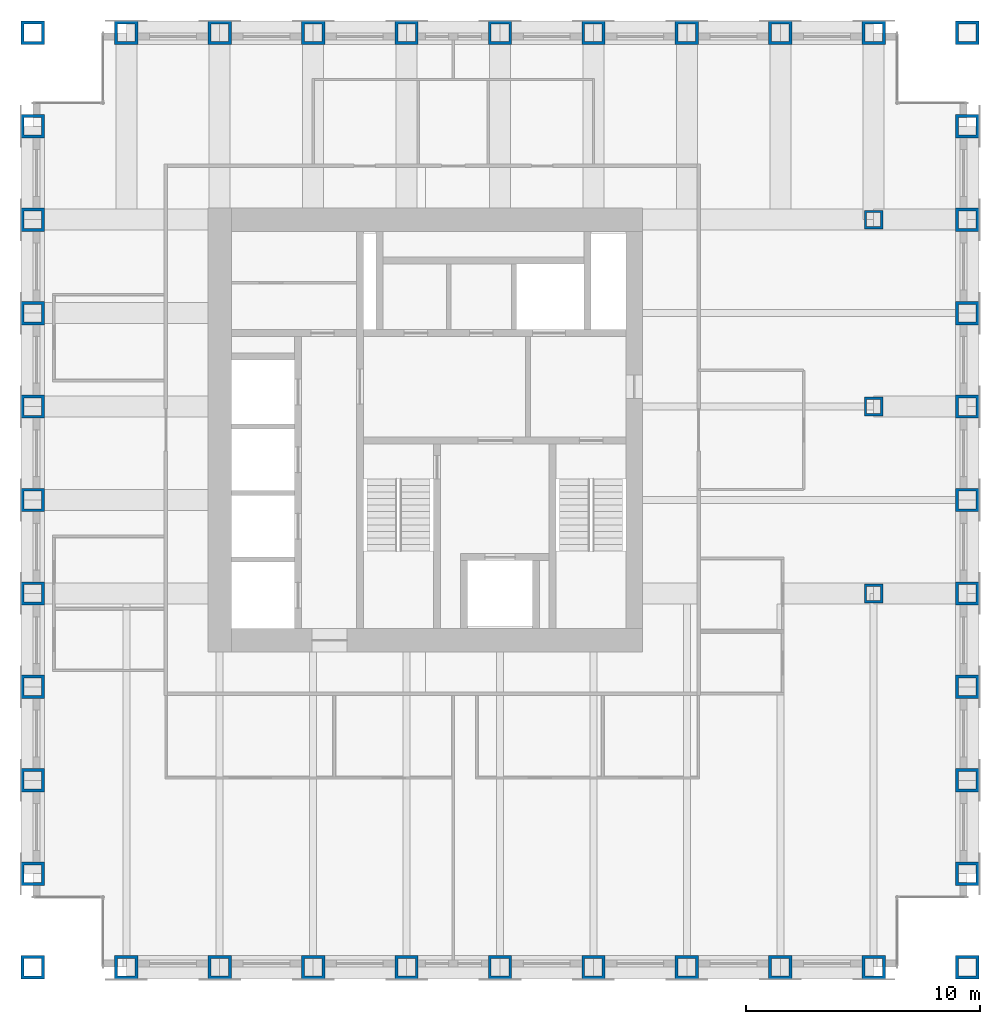
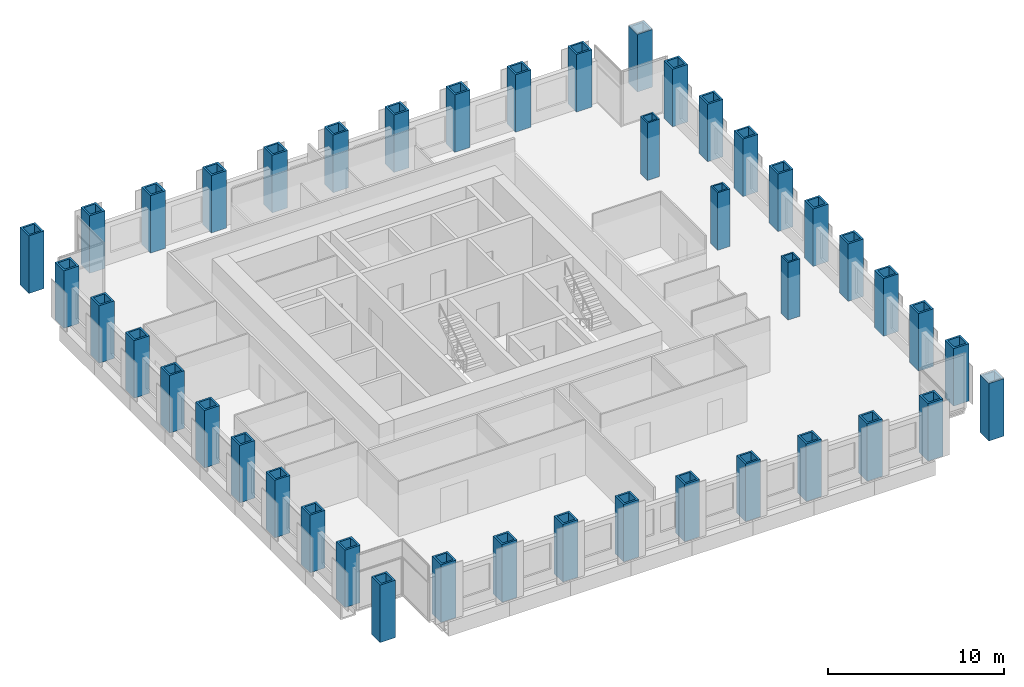
# One storey, part 1 of 12: 43 columns.
"""IFC4 building model written with IfcOpenShell, lengths in metres."""

import ifcopenshell
import ifcopenshell.guid

model = None  # the IFC model being written
_history = None  # IfcOwnerHistory: only IFC2X3 demands one
_inside = {}  # id of a spatial element -> (the spatial element, [elements in it])
_under = {}  # id of a project, library or spatial element -> (it, [spatial elements below it])
_declared = {}  # id of a project -> (the project, [libraries it declares])
_typed = {}  # id of a type object -> (the type object, [elements of that type])
_made_of = {}  # id of a material, layer set ... -> (it, [elements and type objects made of it])


def new_model(schema):
    """Start an empty IFC model of exactly this schema.

    Asked for "IFC4X3", IfcOpenShell would pick the latest addendum, in which some entities
    have other attributes; the version numbers below select the first issue.
    IFC2X3 requires an IfcOwnerHistory on every rooted entity: one is made here for all.
    """
    global model, _history
    if schema == "IFC4X3":
        model = ifcopenshell.file(schema_version=(4, 3, 0, 0))
    else:
        model = ifcopenshell.file(schema=schema)
    _inside.clear()
    _under.clear()
    _declared.clear()
    _typed.clear()
    _made_of.clear()
    _history = None
    if model.schema == "IFC2X3":
        org = make("IfcOrganization", Name="unknown")
        user = make(
            "IfcPersonAndOrganization",
            ThePerson=make("IfcPerson", FamilyName="unknown"),
            TheOrganization=org,
        )
        app = make(
            "IfcApplication",
            ApplicationDeveloper=org,
            Version="unknown",
            ApplicationFullName="unknown",
            ApplicationIdentifier="unknown",
        )
        _history = make(
            "IfcOwnerHistory",
            OwningUser=user,
            OwningApplication=app,
            ChangeAction="ADDED",
            CreationDate=0,
        )
    return model


def make(cls, **values):
    """One entity of the class cls with the attributes given. An attribute that is None is left unset."""
    return model.create_entity(
        cls, **{name: value for name, value in values.items() if value is not None}
    )


def rooted(cls, **values):
    """An entity with a GlobalId (a new one), such as an element, a storey or a relation."""
    return make(cls, GlobalId=ifcopenshell.guid.new(), OwnerHistory=_history, **values)


def si_unit(unit_type, name, prefix=None):
    """IfcSIUnit, for example si_unit("LENGTHUNIT", "METRE", prefix="MILLI")."""
    return make("IfcSIUnit", UnitType=unit_type, Prefix=prefix, Name=name)


def assignment(units):
    """IfcUnitAssignment: the units of a project."""
    return None if units is None else make("IfcUnitAssignment", Units=units)


def point(xyz):
    """IfcCartesianPoint."""
    return None if xyz is None else make("IfcCartesianPoint", Coordinates=xyz)


def direction(xyz):
    """IfcDirection."""
    return None if xyz is None else make("IfcDirection", DirectionRatios=xyz)


def frame(location, z_axis=None, x_axis=None):
    """IfcAxis2Placement3D, a coordinate frame: its origin and axes. An axis left out is left unset."""
    return make(
        "IfcAxis2Placement3D",
        Location=point(location),
        Axis=direction(z_axis),
        RefDirection=direction(x_axis),
    )


def frame_2d(location, x_axis=None):
    """IfcAxis2Placement2D, a coordinate frame in the plane: its origin and x axis."""
    return make(
        "IfcAxis2Placement2D", Location=point(location), RefDirection=direction(x_axis)
    )


def origin():
    """The frame at (0, 0, 0) with its axes left unset."""
    return frame((0.0, 0.0, 0.0))


def origin_2d():
    """The frame at (0, 0) in the plane with its x axis left unset."""
    return frame_2d((0.0, 0.0))


def place(relative_to, where):
    """IfcLocalPlacement: puts the frame where relative to a parent placement (None: the world)."""
    return make(
        "IfcLocalPlacement", PlacementRelTo=relative_to, RelativePlacement=where
    )


def context(
    kind, dimensions, precision=None, world=None, true_north=None, identifier=None
):
    """IfcGeometricRepresentationContext, for example the 3D "Model" context."""
    return make(
        "IfcGeometricRepresentationContext",
        ContextIdentifier=identifier,
        ContextType=kind,
        CoordinateSpaceDimension=dimensions,
        Precision=precision,
        WorldCoordinateSystem=world,
        TrueNorth=true_north,
    )


def subcontext(parent, identifier, kind, view, scale=None):
    """IfcGeometricRepresentationSubContext, for example "Body" below "Model"."""
    return make(
        "IfcGeometricRepresentationSubContext",
        ContextIdentifier=identifier,
        ContextType=kind,
        ParentContext=parent,
        TargetScale=scale,
        TargetView=view,
    )


def project(units=None, contexts=None):
    """IfcProject with its units and contexts."""
    return rooted(
        "IfcProject",
        Name="project",
        RepresentationContexts=contexts,
        UnitsInContext=assignment(units),
    )


def spatial(cls, under=None, at=None, **own):
    """A site, building, storey or space (cls), placed at a placement, below another one or the project."""
    s = rooted(cls, ObjectPlacement=at, **own)
    if under is not None:
        _under.setdefault(under.id(), (under, []))[1].append(s)
    return s


def profile(cls, at=None, kind="AREA", **sizes):
    """A parametric profile (cls). Its sizes go by their IFC names, for example OverallWidth=200.0."""
    return make(cls, ProfileType=kind, Position=at, **sizes)


def hollow_rectangle(**sizes):
    """IfcRectangleHollowProfileDef."""
    return profile("IfcRectangleHollowProfileDef", **sizes)


def extrude(swept, where, along, depth):
    """IfcExtrudedAreaSolid: the profile swept, set in the frame where, extruded along a direction by depth."""
    return make(
        "IfcExtrudedAreaSolid",
        SweptArea=swept,
        Position=where,
        ExtrudedDirection=direction(along),
        Depth=depth,
    )


def shape(context_of_items, identifier, shape_type, items):
    """IfcShapeRepresentation: the items that make up one representation, for example the "Body"."""
    return make(
        "IfcShapeRepresentation",
        ContextOfItems=context_of_items,
        RepresentationIdentifier=identifier,
        RepresentationType=shape_type,
        Items=items,
    )


def material(Name=None, Category=None):
    """IfcMaterial."""
    return make("IfcMaterial", Name=Name, Category=Category)


def material_profile(
    of_material, cross_section, Name=None, Category=None, Priority=None
):
    """IfcMaterialProfile: a cross section and its material."""
    return make(
        "IfcMaterialProfile",
        Name=Name,
        Material=of_material,
        Profile=cross_section,
        Priority=Priority,
        Category=Category,
    )


def profile_set(profiles, Name=None, composite=None):
    """IfcMaterialProfileSet."""
    return make(
        "IfcMaterialProfileSet",
        Name=Name,
        MaterialProfiles=profiles,
        CompositeProfile=composite,
    )


def made_of(thing, what):
    """Note that an element or type object is made of a material, layer set ...; save() writes the relation."""
    if what is not None:
        _made_of.setdefault(what.id(), (what, []))[1].append(thing)
    return thing


def type_object(cls, material=None, **own):
    """A type object (cls), such as IfcWallType, which elements share."""
    return made_of(rooted(cls, **own), material)


def element(
    cls,
    number,
    at=None,
    inside=None,
    cuts=None,
    type_object=None,
    material=None,
    context=None,
    identifier="Body",
    shape_type=None,
    held_by="IfcProductDefinitionShape",
    body=None,
    shapes=None,
    **own,
):
    """One element of the class cls, such as IfcWall. Its Tag is "e" and its number.

    at: its placement. inside: the storey or other place that contains it. cuts: it is an
    opening in that element (IfcRelVoidsElement). A single representation is given by context,
    identifier, shape_type and body (its items); several are given by shapes. held_by: the class
    of the entity that holds the representations. save() writes the other relations.
    """
    e = rooted(cls, Tag="e%d" % number, ObjectPlacement=at, **own)
    if body is not None:
        shapes = [shape(context, identifier, shape_type, body)]
    if shapes is not None:
        e.Representation = make(held_by, Representations=shapes)
    if inside is not None:
        _inside.setdefault(inside.id(), (inside, []))[1].append(e)
    if cuts is not None:
        rooted(
            "IfcRelVoidsElement", RelatingBuildingElement=cuts, RelatedOpeningElement=e
        )
    if type_object is not None:
        _typed.setdefault(type_object.id(), (type_object, []))[1].append(e)
    return made_of(e, material)


def aggregate(whole, parts):
    """IfcRelAggregates: a whole, such as a stair, and the parts it consists of."""
    return rooted("IfcRelAggregates", RelatingObject=whole, RelatedObjects=parts)


def save(model, path):
    """Write the relations noted so far, then the file.

    IfcRelAggregates (storeys below a building ...), IfcRelContainedInSpatialStructure (elements
    in a storey), IfcRelDefinesByType, IfcRelAssociatesMaterial and IfcRelDeclares: one each for
    every whole, place, type object, material and project.
    """
    for whole, parts in _under.values():
        aggregate(whole, parts)
    for where, things in _inside.values():
        rooted(
            "IfcRelContainedInSpatialStructure",
            RelatedElements=things,
            RelatingStructure=where,
        )
    for kind, things in _typed.values():
        rooted("IfcRelDefinesByType", RelatedObjects=things, RelatingType=kind)
    for what, things in _made_of.values():
        rooted("IfcRelAssociatesMaterial", RelatedObjects=things, RelatingMaterial=what)
    for by, libraries in _declared.values():
        rooted("IfcRelDeclares", RelatingContext=by, RelatedDefinitions=libraries)
    model.write(path)


model = new_model("IFC4")

# Units and contexts
model_context = context("Model", 3, precision=1e-05, world=origin(), true_north=direction((0.0, 1.0)))
body_context = subcontext(model_context, "Body", "Model", "MODEL_VIEW")
ifc_project = project(units=[si_unit("LENGTHUNIT", "METRE"), si_unit("AREAUNIT", "SQUARE_METRE"), si_unit("VOLUMEUNIT", "CUBIC_METRE"), si_unit("PLANEANGLEUNIT", "RADIAN"), si_unit("MASSUNIT", "GRAM", prefix="KILO")], contexts=[model_context])

# Site, building, storey
site_placement = place(None, origin())
site = spatial("IfcSite", under=ifc_project, at=site_placement, CompositionType="ELEMENT")
building_placement = place(site_placement, origin())
building = spatial("IfcBuilding", under=site, at=building_placement, Name="Rimbunsela Tower", CompositionType="ELEMENT")
storey_placement = place(building_placement, frame((0.0, 0.0, 266.199951171875)))
storey = spatial("IfcBuildingStorey", under=building, at=storey_placement, Name="L64", CompositionType="ELEMENT", Elevation=266.199951171875)

# Columns
ifc_material_1 = material(Name="Steel BJ 55 (fy 410 MPa)", Category="steel")
ifc_material_profile_1 = material_profile(ifc_material_1, hollow_rectangle(XDim=1.0, YDim=1.0, WallThickness=0.125, at=origin_2d()), Name="BOX 1000x1000x125")
ifc_profile_set_1 = profile_set([ifc_material_profile_1], Name="Steel BJ 55 (fy 410 MPa)")
column_type_1 = type_object("IfcColumnType", Name="Column BOX 1000x1000x125", PredefinedType="COLUMN", material=ifc_profile_set_1)
for number, where, z_axis, x_axis, name in (
    (1, (10.0, 4.0, 0.0), (0.0, 0.0, 1.0), (1.0, 0.0, 0.0), "Column C8 5/C L64"),
    (2, (10.0, 8.0, 0.0), (0.0, 0.0, 1.0), (1.0, 0.0, 0.0), "Column C8 5/D L64"),
    (3, (10.0, 12.0, 0.0), (0.0, 0.0, 1.0), (1.0, 0.0, 0.0), "Column C8 5/E L64"),
    (4, (10.0, 16.0, 0.0), (0.0, 0.0, 1.0), (1.0, 0.0, 0.0), "Column C8 5/F L64"),
    (5, (10.0, 20.0, 0.0), (0.0, 0.0, 1.0), (1.0, 0.0, 0.0), "Column C8 5/G L64"),
    (6, (10.0, 24.0, 0.0), (0.0, 0.0, 1.0), (1.0, 0.0, 0.0), "Column C8 5/H L64"),
    (7, (10.0, 28.0, 0.0), (0.0, 0.0, 1.0), (1.0, 0.0, 0.0), "Column C8 5/J L64"),
    (8, (10.0, 32.0, 0.0), (0.0, 0.0, 1.0), (1.0, 0.0, 0.0), "Column C8 5/K L64"),
    (9, (10.0, 36.0, 0.0), (0.0, 0.0, 1.0), (1.0, 0.0, 0.0), "Column C8 5/L L64"),
    (10, (10.0, 40.0, 0.0), (0.0, 0.0, 1.0), (1.0, 0.0, 0.0), "Column C8 5/M L64"),
    (11, (10.0, 44.0, 0.0), (0.0, 0.0, 1.0), (1.0, 0.0, 0.0), "Column C8 5/N L64"),
    (12, (14.0, 4.0, 0.0), (0.0, 0.0, 1.0), (1.0, 0.0, 0.0), "Column C8 6/C L64"),
    (13, (14.0, 44.0, 0.0), (0.0, 0.0, 1.0), (1.0, 0.0, 0.0), "Column C8 6/N L64"),
    (14, (18.0, 4.0, 0.0), (0.0, 0.0, 1.0), (1.0, 0.0, 0.0), "Column C8 7/C L64"),
    (15, (18.0, 44.0, 0.0), (0.0, 0.0, 1.0), (1.0, 0.0, 0.0), "Column C8 7/N L64"),
    (16, (22.0, 4.0, 0.0), (0.0, 0.0, 1.0), (1.0, 0.0, 0.0), "Column C8 8/C L64"),
    (17, (22.0, 44.0, 0.0), (0.0, 0.0, 1.0), (1.0, 0.0, 0.0), "Column C8 8/N L64"),
    (18, (26.0, 4.0, 0.0), (0.0, 0.0, 1.0), (1.0, 0.0, 0.0), "Column C8 9/C L64"),
    (19, (26.0, 44.0, 0.0), (0.0, 0.0, 1.0), (1.0, 0.0, 0.0), "Column C8 9/N L64"),
    (20, (30.0, 4.0, 0.0), (0.0, 0.0, 1.0), (1.0, 0.0, 0.0), "Column C8 10/C L64"),
    (21, (30.0, 44.0, 0.0), (0.0, 0.0, 1.0), (1.0, 0.0, 0.0), "Column C8 10/N L64"),
    (22, (34.0, 4.0, 0.0), (0.0, 0.0, 1.0), (1.0, 0.0, 0.0), "Column C8 11/C L64"),
    (23, (34.0, 44.0, 0.0), (0.0, 0.0, 1.0), (1.0, 0.0, 0.0), "Column C8 11/N L64"),
    (24, (38.0, 4.0, 0.0), (0.0, 0.0, 1.0), (1.0, 0.0, 0.0), "Column C8 12/C L64"),
    (25, (38.0, 44.0, 0.0), (0.0, 0.0, 1.0), (1.0, 0.0, 0.0), "Column C8 12/N L64"),
    (26, (42.0, 4.0, 0.0), (0.0, 0.0, 1.0), (1.0, 0.0, 0.0), "Column C8 13/C L64"),
    (27, (42.0, 44.0, 0.0), (0.0, 0.0, 1.0), (1.0, 0.0, 0.0), "Column C8 13/N L64"),
    (28, (46.0, 4.0, 0.0), (0.0, 0.0, 1.0), (1.0, 0.0, 0.0), "Column C8 14/C L64"),
    (29, (46.0, 44.0, 0.0), (0.0, 0.0, 1.0), (1.0, 0.0, 0.0), "Column C8 14/N L64"),
    (30, (50.0, 4.0, 0.0), (0.0, 0.0, 1.0), (1.0, 0.0, 0.0), "Column C8 15/C L64"),
    (31, (50.0, 8.0, 0.0), (0.0, 0.0, 1.0), (1.0, 0.0, 0.0), "Column C8 15/D L64"),
    (32, (50.0, 12.0, 0.0), (0.0, 0.0, 1.0), (1.0, 0.0, 0.0), "Column C8 15/E L64"),
    (33, (50.0, 16.0, 0.0), (0.0, 0.0, 1.0), (1.0, 0.0, 0.0), "Column C8 15/F L64"),
    (34, (50.0, 20.0, 0.0), (0.0, 0.0, 1.0), (1.0, 0.0, 0.0), "Column C8 15/G L64"),
    (35, (50.0, 24.0, 0.0), (0.0, 0.0, 1.0), (1.0, 0.0, 0.0), "Column C8 15/H L64"),
    (36, (50.0, 28.0, 0.0), (0.0, 0.0, 1.0), (1.0, 0.0, 0.0), "Column C8 15/J L64"),
    (37, (50.0, 32.0, 0.0), (0.0, 0.0, 1.0), (1.0, 0.0, 0.0), "Column C8 15/K L64"),
    (38, (50.0, 36.0, 0.0), (0.0, 0.0, 1.0), (1.0, 0.0, 0.0), "Column C8 15/L L64"),
    (39, (50.0, 40.0, 0.0), (0.0, 0.0, 1.0), (1.0, 0.0, 0.0), "Column C8 15/M L64"),
    (40, (50.0, 44.0, 0.0), (0.0, 0.0, 1.0), (1.0, 0.0, 0.0), "Column C8 15/N L64"),
):
    element("IfcColumn", number, at=place(storey_placement, frame(where, z_axis=z_axis, x_axis=x_axis)), inside=storey, type_object=column_type_1, Name=name, PredefinedType="COLUMN", context=body_context, shape_type="SweptSolid", body=[
        extrude(hollow_rectangle(XDim=1.0, YDim=1.0, WallThickness=0.125, at=origin_2d()), origin(), (0.0, 0.0, 1.0), 4.0),
    ])
ifc_material_2 = material(Name="Steel BJ 55 (fy 410 MPa)", Category="steel")
ifc_material_profile_2 = material_profile(ifc_material_2, hollow_rectangle(XDim=0.800048828125, YDim=0.800048828125, WallThickness=0.10009765625, at=origin_2d()), Name="BOX 800x800x100")
ifc_profile_set_2 = profile_set([ifc_material_profile_2], Name="Steel BJ 55 (fy 410 MPa)")
column_type_2 = type_object("IfcColumnType", Name="Column BOX 800x800x100", PredefinedType="COLUMN", material=ifc_profile_set_2)
for number, where, z_axis, x_axis, name in (
    (41, (46.0, 20.0, 0.0), (0.0, 0.0, 1.0), (1.0, 0.0, 0.0), "Column C10 14/G L64"),
    (42, (46.0, 28.0, 0.0), (0.0, 0.0, 1.0), (1.0, 0.0, 0.0), "Column C10 14/J L64"),
    (43, (46.0, 36.0, 0.0), (0.0, 0.0, 1.0), (1.0, 0.0, 0.0), "Column C10 14/L L64"),
):
    element("IfcColumn", number, at=place(storey_placement, frame(where, z_axis=z_axis, x_axis=x_axis)), inside=storey, type_object=column_type_2, Name=name, PredefinedType="COLUMN", context=body_context, shape_type="SweptSolid", body=[
        extrude(hollow_rectangle(XDim=0.800048828125, YDim=0.800048828125, WallThickness=0.10009765625, at=origin_2d()), origin(), (0.0, 0.0, 1.0), 4.0),
    ])

save(model, "model.ifc")
